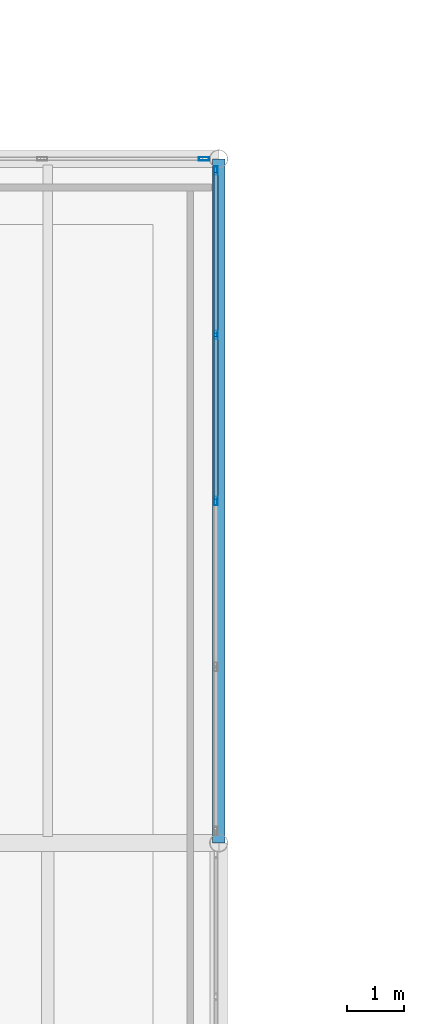
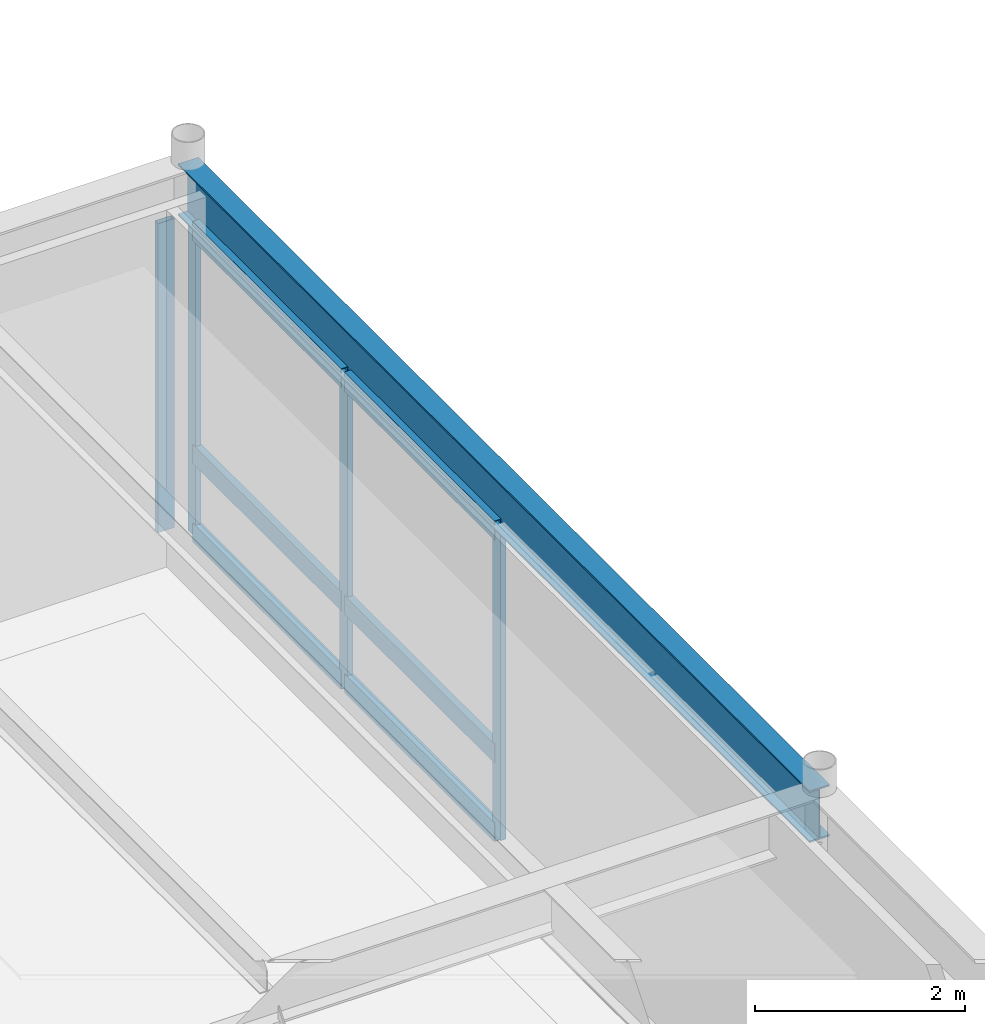
# One storey, part 81 of 127: 10 members, 1 beam, 2 elements without a shape of their own.
"""IFC4 building model written with IfcOpenShell, lengths in metres."""

from ifc_helpers import new_model, si_unit, direction, frame, origin, origin_2d, place, context, subcontext, project, spatial, hollow_rectangle, i_section, extrude, material, layer, layer_set, material_profile, profile_set, type_object, element, aggregate, save


model = new_model("IFC4")

# Units and contexts
model_context = context("Model", 3, precision=1e-05, world=origin(), true_north=direction((0.0, 1.0)))
body_context = subcontext(model_context, "Body", "Model", "MODEL_VIEW")
ifc_project = project(units=[si_unit("LENGTHUNIT", "METRE"), si_unit("AREAUNIT", "SQUARE_METRE"), si_unit("VOLUMEUNIT", "CUBIC_METRE"), si_unit("PLANEANGLEUNIT", "RADIAN"), si_unit("MASSUNIT", "GRAM", prefix="KILO")], contexts=[model_context])

# Site, building, storey
site_placement = place(None, origin())
site = spatial("IfcSite", under=ifc_project, at=site_placement, CompositionType="ELEMENT")
building_placement = place(site_placement, origin())
building = spatial("IfcBuilding", under=site, at=building_placement, Name="Montelvaro Courts of Justice", CompositionType="ELEMENT")
storey_placement = place(building_placement, frame((0.0, 0.0, 5.39990234375)))
storey = spatial("IfcBuildingStorey", under=building, at=storey_placement, Name="L01", CompositionType="ELEMENT", Elevation=5.39990234375)

# Beam
ifc_material_1 = material(Name="Steel S355", Category="steel")
ifc_material_profile_1 = material_profile(ifc_material_1, i_section(OverallWidth=0.219970703125, OverallDepth=0.60009765625, WebThickness=0.011962890625, FlangeThickness=0.01904296875, at=origin_2d()), Name="IPE 600")
ifc_profile_set_1 = profile_set([ifc_material_profile_1], Name="Steel S355")
beam_type = type_object("IfcBeamType", Name="Beam_IPE600", PredefinedType="USERDEFINED", material=ifc_profile_set_1)
beam_placement = place(storey_placement, frame((81.0, 96.0, 3.880126953125), z_axis=(0.0, 1.0, 0.0), x_axis=(-1.0, 0.0, 0.0)))
element("IfcBeam", 1, at=beam_placement, inside=storey, type_object=beam_type, Name="Beam B-12 L01", ObjectType="GIRDER", PredefinedType="USERDEFINED", context=body_context, shape_type="SweptSolid", body=[
    extrude(i_section(OverallWidth=0.219970703125, OverallDepth=0.60009765625, WebThickness=0.011962890625, FlangeThickness=0.01904296875, at=origin_2d()), origin(), (0.0, 0.0, 1.0), 12.0),
])

# Curtain wall, members
ifc_material_2 = material(Name="Anodised aluminium EN AW-6063", Category="aluminium")
ifc_layer_1 = layer(ifc_material_2, 0.159912109375)
ifc_layer_set_1 = layer_set([ifc_layer_1], Name="Anodised aluminium EN AW-6063")
curtain_wall_type_1 = type_object("IfcCurtainWallType", Name="CurtainWall_16_1165x418", PredefinedType="USERDEFINED", material=ifc_layer_set_1)
curtain_wall_1_placement = place(storey_placement, origin())
curtain_wall_1 = element("IfcCurtainWall", 2, at=curtain_wall_1_placement, inside=storey, type_object=curtain_wall_type_1, Name="Curtain Wall CW-16 (L01)", ObjectType="CURTAIN WALL", PredefinedType="USERDEFINED")
ifc_material_profile_2 = material_profile(ifc_material_2, hollow_rectangle(XDim=0.06005859375, YDim=0.14990234375, WallThickness=0.00390625, at=origin_2d()), Name="ALU-M 60x150")
ifc_profile_set_2 = profile_set([ifc_material_profile_2], Name="Anodised aluminium EN AW-6063")
member_type_1 = type_object("IfcMemberType", Name="CurtainWall_Mullion_60x150", PredefinedType="MULLION", material=ifc_profile_set_2)
member_1_placement = place(storey_placement, frame((80.949951171875, 102.0, 0.0), z_axis=(0.0, 0.0, 1.0), x_axis=(-1.0, 0.0, 0.0)))
member_1 = element("IfcMember", 3, at=member_1_placement, type_object=member_type_1, Name="CW-16 mullion 3", PredefinedType="MULLION", context=body_context, shape_type="SweptSolid", body=[
    extrude(hollow_rectangle(XDim=0.06005859375, YDim=0.14990234375, WallThickness=0.00390625, at=origin_2d()), origin(), (0.0, 0.0, 1.0), 3.5751953125),
])
member_2_placement = place(storey_placement, frame((80.949951171875, 104.91162109375, 0.0), z_axis=(0.0, 0.0, 1.0), x_axis=(-1.0, 0.0, 0.0)))
member_2 = element("IfcMember", 4, at=member_2_placement, type_object=member_type_1, Name="CW-16 mullion 4", PredefinedType="MULLION", context=body_context, shape_type="SweptSolid", body=[
    extrude(hollow_rectangle(XDim=0.06005859375, YDim=0.14990234375, WallThickness=0.00390625, at=origin_2d()), origin(), (0.0, 0.0, 1.0), 3.5751953125),
])
member_3_placement = place(storey_placement, frame((80.949951171875, 107.79296875, 0.0), z_axis=(0.0, 0.0, 1.0), x_axis=(-1.0, 0.0, 0.0)))
member_3 = element("IfcMember", 5, at=member_3_placement, type_object=member_type_1, Name="CW-16 mullion 5", PredefinedType="MULLION", context=body_context, shape_type="SweptSolid", body=[
    extrude(hollow_rectangle(XDim=0.06005859375, YDim=0.14990234375, WallThickness=0.00390625, at=origin_2d()), origin(), (0.0, 0.0, 1.0), 3.5751953125),
])

# Curtain wall, member
ifc_layer_2 = layer(ifc_material_2, 0.159912109375)
ifc_layer_set_2 = layer_set([ifc_layer_2], Name="Anodised aluminium EN AW-6063")
curtain_wall_type_2 = type_object("IfcCurtainWallType", Name="CurtainWall_17_861x418", PredefinedType="USERDEFINED", material=ifc_layer_set_2)
curtain_wall_2_placement = place(storey_placement, origin())
curtain_wall_2 = element("IfcCurtainWall", 6, at=curtain_wall_2_placement, inside=storey, type_object=curtain_wall_type_2, Name="Curtain Wall CW-17 (L01)", ObjectType="CURTAIN WALL", PredefinedType="USERDEFINED")
ifc_material_profile_3 = material_profile(ifc_material_2, hollow_rectangle(XDim=0.06005859375, YDim=0.179931640625, WallThickness=0.00439453125, at=origin_2d()), Name="ALU-M 60x180")
ifc_profile_set_3 = profile_set([ifc_material_profile_3], Name="Anodised aluminium EN AW-6063")
member_type_2 = type_object("IfcMemberType", Name="CurtainWall_Mullion_60x180", PredefinedType="MULLION", material=ifc_profile_set_3)
member_4_placement = place(storey_placement, frame((80.742919921875, 108.0, 0.0), z_axis=(0.0, 0.0, 1.0), x_axis=(0.0, -1.0, 0.0)))
member_4 = element("IfcMember", 7, at=member_4_placement, type_object=member_type_2, Name="CW-17 mullion 1", PredefinedType="MULLION", context=body_context, shape_type="SweptSolid", body=[
    extrude(hollow_rectangle(XDim=0.06005859375, YDim=0.179931640625, WallThickness=0.00439453125, at=origin_2d()), origin(), (0.0, 0.0, 1.0), 3.585205078125),
])
aggregate(curtain_wall_2, [member_4])

# Member
ifc_material_profile_4 = material_profile(ifc_material_2, hollow_rectangle(XDim=0.074951171875, YDim=0.219970703125, WallThickness=0.005615234375, at=origin_2d()), Name="ALU-T 75x220")
ifc_profile_set_4 = profile_set([ifc_material_profile_4], Name="Anodised aluminium EN AW-6063")
member_type_3 = type_object("IfcMemberType", Name="CurtainWall_Transom_75x220", PredefinedType="USERDEFINED", material=ifc_profile_set_4)
member_5_placement = place(storey_placement, frame((80.949951171875, 102.030029296875, 0.03759765625), z_axis=(0.0, 1.0, 0.0), x_axis=(-1.0, 0.0, 0.0)))
member_5 = element("IfcMember", 8, at=member_5_placement, type_object=member_type_3, Name="CW-16 transom 3.1", ObjectType="TRANSOM", PredefinedType="USERDEFINED", context=body_context, shape_type="SweptSolid", body=[
    extrude(hollow_rectangle(XDim=0.074951171875, YDim=0.219970703125, WallThickness=0.005615234375, at=origin_2d()), origin(), (0.0, 0.0, 1.0), 2.8515625),
])

member_6_placement = place(storey_placement, frame((80.949951171875, 102.030029296875, 0.9501953125), z_axis=(0.0, 1.0, 0.0), x_axis=(-1.0, 0.0, 0.0)))
member_6 = element("IfcMember", 9, at=member_6_placement, type_object=member_type_3, Name="CW-16 transom 3.2", ObjectType="TRANSOM", PredefinedType="USERDEFINED", context=body_context, shape_type="SweptSolid", body=[
    extrude(hollow_rectangle(XDim=0.074951171875, YDim=0.219970703125, WallThickness=0.005615234375, at=origin_2d()), origin(), (0.0, 0.0, 1.0), 2.8515625),
])

member_7_placement = place(storey_placement, frame((80.949951171875, 102.030029296875, 3.53759765625), z_axis=(0.0, 1.0, 0.0), x_axis=(-1.0, 0.0, 0.0)))
member_7 = element("IfcMember", 10, at=member_7_placement, type_object=member_type_3, Name="CW-16 transom 3.3", ObjectType="TRANSOM", PredefinedType="USERDEFINED", context=body_context, shape_type="SweptSolid", body=[
    extrude(hollow_rectangle(XDim=0.074951171875, YDim=0.219970703125, WallThickness=0.005615234375, at=origin_2d()), origin(), (0.0, 0.0, 1.0), 2.8515625),
])

member_8_placement = place(storey_placement, frame((80.949951171875, 104.94140625, 0.03759765625), z_axis=(0.0, 1.0, 0.0), x_axis=(-1.0, 0.0, 0.0)))
member_8 = element("IfcMember", 11, at=member_8_placement, type_object=member_type_3, Name="CW-16 transom 4.1", ObjectType="TRANSOM", PredefinedType="USERDEFINED", context=body_context, shape_type="SweptSolid", body=[
    extrude(hollow_rectangle(XDim=0.074951171875, YDim=0.219970703125, WallThickness=0.005615234375, at=origin_2d()), origin(), (0.0, 0.0, 1.0), 2.821533203125),
])

member_9_placement = place(storey_placement, frame((80.949951171875, 104.94140625, 0.9501953125), z_axis=(0.0, 1.0, 0.0), x_axis=(-1.0, 0.0, 0.0)))
member_9 = element("IfcMember", 12, at=member_9_placement, type_object=member_type_3, Name="CW-16 transom 4.2", ObjectType="TRANSOM", PredefinedType="USERDEFINED", context=body_context, shape_type="SweptSolid", body=[
    extrude(hollow_rectangle(XDim=0.074951171875, YDim=0.219970703125, WallThickness=0.005615234375, at=origin_2d()), origin(), (0.0, 0.0, 1.0), 2.821533203125),
])

member_10_placement = place(storey_placement, frame((80.949951171875, 104.94140625, 3.53759765625), z_axis=(0.0, 1.0, 0.0), x_axis=(-1.0, 0.0, 0.0)))
member_10 = element("IfcMember", 13, at=member_10_placement, type_object=member_type_3, Name="CW-16 transom 4.3", ObjectType="TRANSOM", PredefinedType="USERDEFINED", context=body_context, shape_type="SweptSolid", body=[
    extrude(hollow_rectangle(XDim=0.074951171875, YDim=0.219970703125, WallThickness=0.005615234375, at=origin_2d()), origin(), (0.0, 0.0, 1.0), 2.821533203125),
])

aggregate(curtain_wall_1, [member_1, member_2, member_3, member_5, member_6, member_7, member_8, member_9, member_10])

save(model, "model.ifc")
